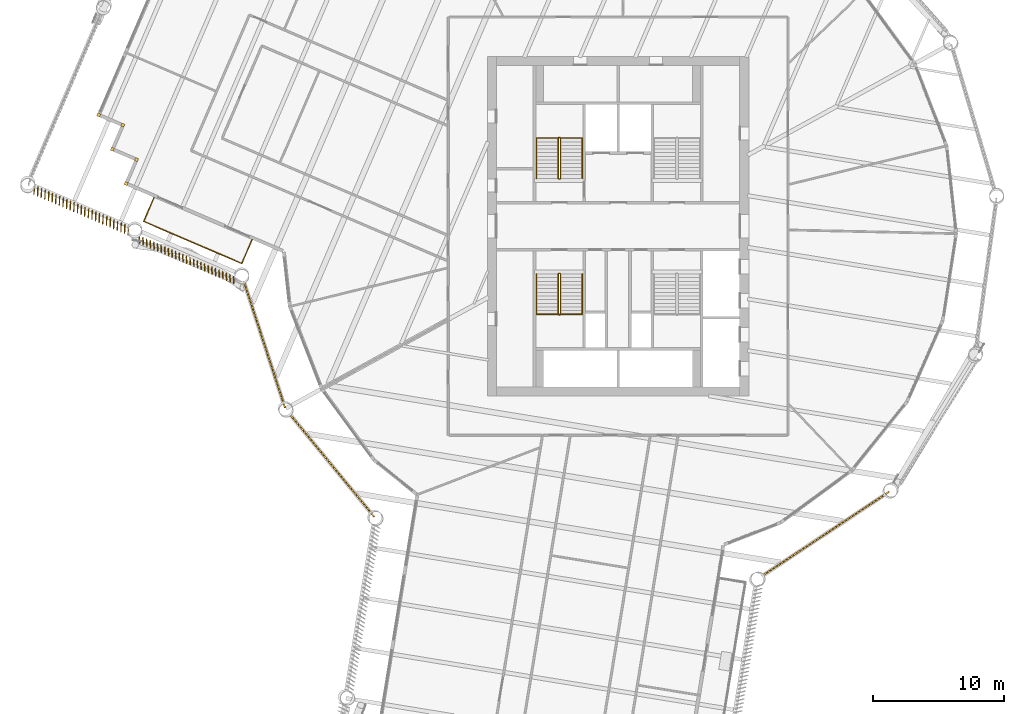
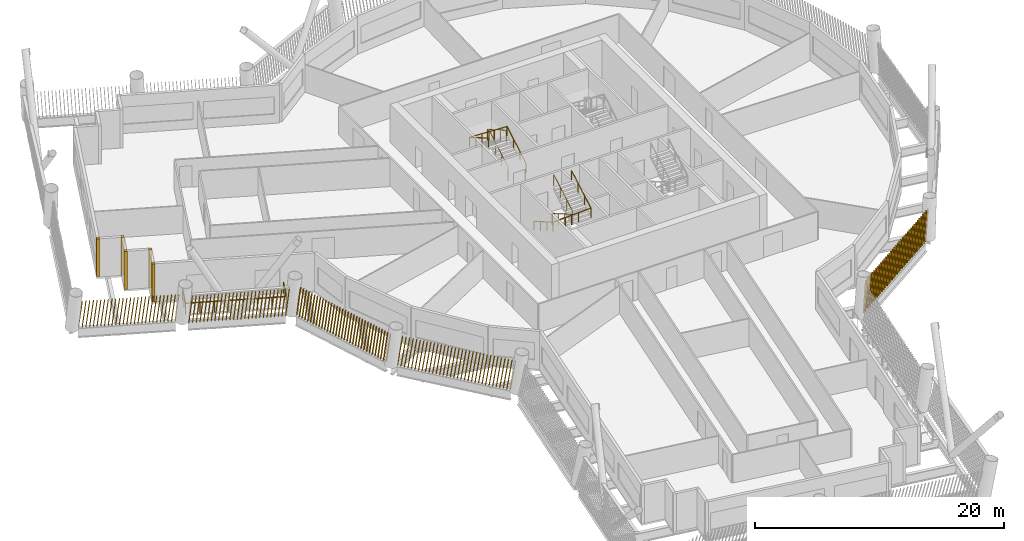
# One storey, part 19 of 22: 10 shading devices, 5 railings.
"""IFC4 building model written with IfcOpenShell, lengths in metres."""

from ifc_helpers import new_model, si_unit, direction, frame, frame_2d, origin, origin_2d, place, context, subcontext, project, spatial, rectangle, circle, composite_profile, extrude, material, type_object, element, save


model = new_model("IFC4")

# Units and contexts
model_context = context("Model", 3, precision=1e-05, world=origin(), true_north=direction((0.0, 1.0)))
body_context = subcontext(model_context, "Body", "Model", "MODEL_VIEW")
ifc_project = project(units=[si_unit("LENGTHUNIT", "METRE"), si_unit("AREAUNIT", "SQUARE_METRE"), si_unit("VOLUMEUNIT", "CUBIC_METRE"), si_unit("PLANEANGLEUNIT", "RADIAN"), si_unit("MASSUNIT", "GRAM", prefix="KILO")], contexts=[model_context])

# Site, building, storey
site_placement = place(None, origin())
site = spatial("IfcSite", under=ifc_project, at=site_placement, CompositionType="ELEMENT")
building_placement = place(site_placement, origin())
building = spatial("IfcBuilding", under=site, at=building_placement, Name="Tarsis Ring Headquarters", CompositionType="ELEMENT")
storey_placement = place(building_placement, frame((0.0, 0.0, 186.60009765625)))
storey = spatial("IfcBuildingStorey", under=building, at=storey_placement, Name="L43", CompositionType="ELEMENT", Elevation=186.60009765625)

# Railings
ifc_material_1 = material(Name="Stainless steel guard", Category="steel")
railing_type_1 = type_object("IfcRailingType", Name="Balcony balustrade with mesh infill 1100", PredefinedType="BALUSTRADE", material=ifc_material_1)
railing_1_placement = place(storey_placement, frame((-35.51611328125, 2.20458984375, 0.0)))
element("IfcRailing", 1, at=railing_1_placement, inside=storey, type_object=railing_type_1, Name="Balcony balustrade L43-01", PredefinedType="BALUSTRADE", context=body_context, shape_type="SweptSolid", body=[
    extrude(circle(Radius=0.030029296875, at=origin_2d()), frame((0.0, 0.0, 1.070068359375), z_axis=(-0.39490617901, -0.918721453858, 0.0), x_axis=(0.918721453858, -0.39490617901, 0.0)), (0.0, 0.0, 1.0), 2.0),
    extrude(circle(Radius=0.030029296875, at=origin_2d()), frame((-0.789794921875, -1.83740234375, 1.070068359375), z_axis=(0.918727289502, -0.394892602518, 0.0), x_axis=(0.394892602518, 0.918727289502, 0.0)), (0.0, 0.0, 1.0), 8.171875),
    extrude(circle(Radius=0.030029296875, at=origin_2d()), frame((6.718017578125, -5.064453125, 1.070068359375), z_axis=(0.39490617901, 0.918721453858, 0.0), x_axis=(-0.918721453858, 0.39490617901, 0.0)), (0.0, 0.0, 1.0), 2.0),
    extrude(circle(Radius=0.02490234375, at=origin_2d()), origin(), (0.0, 0.0, 1.0), 1.0400390625),
    extrude(circle(Radius=0.02490234375, at=origin_2d()), frame((-0.39501953125, -0.918701171875, 0.0)), (0.0, 0.0, 1.0), 1.0400390625),
    extrude(circle(Radius=0.02490234375, at=origin_2d()), frame((-0.789794921875, -1.83740234375, 0.0)), (0.0, 0.0, 1.0), 1.0400390625),
    extrude(circle(Radius=0.02490234375, at=origin_2d()), frame((0.28271484375, -2.29833984375, 0.0)), (0.0, 0.0, 1.0), 1.0400390625),
    extrude(circle(Radius=0.02490234375, at=origin_2d()), frame((1.355224609375, -2.759521484375, 0.0)), (0.0, 0.0, 1.0), 1.0400390625),
    extrude(circle(Radius=0.02490234375, at=origin_2d()), frame((2.427734375, -3.220458984375, 0.0)), (0.0, 0.0, 1.0), 1.0400390625),
    extrude(circle(Radius=0.02490234375, at=origin_2d()), frame((3.50048828125, -3.681396484375, 0.0)), (0.0, 0.0, 1.0), 1.0400390625),
    extrude(circle(Radius=0.02490234375, at=origin_2d()), frame((4.572998046875, -4.142333984375, 0.0)), (0.0, 0.0, 1.0), 1.0400390625),
    extrude(circle(Radius=0.02490234375, at=origin_2d()), frame((5.6455078125, -4.603515625, 0.0)), (0.0, 0.0, 1.0), 1.0400390625),
    extrude(circle(Radius=0.02490234375, at=origin_2d()), frame((6.718017578125, -5.064453125, 0.0)), (0.0, 0.0, 1.0), 1.0400390625),
    extrude(circle(Radius=0.02490234375, at=origin_2d()), frame((7.11279296875, -4.145751953125, 0.0)), (0.0, 0.0, 1.0), 1.0400390625),
    extrude(circle(Radius=0.02490234375, at=origin_2d()), frame((7.5078125, -3.22705078125, 0.0)), (0.0, 0.0, 1.0), 1.0400390625),
])
ifc_material_2 = material(Name="Steel S355", Category="steel")
railing_type_2 = type_object("IfcRailingType", Name="Core stair guard 1100", PredefinedType="GUARDRAIL", material=ifc_material_2)
railing_2_placement = place(storey_placement, frame((-4.5400390625, 3.610107421875, 0.0)))
element("IfcRailing", 2, at=railing_2_placement, inside=storey, type_object=railing_type_2, Name="L43 ST1 stair guard 1", PredefinedType="GUARDRAIL", context=body_context, shape_type="SweptSolid", body=[
    extrude(circle(Radius=0.02392578125, at=origin_2d()), frame((0.0, 0.0, 1.076171875), z_axis=(1.0, 0.0, 0.0), x_axis=(0.0, 1.0, 0.0)), (0.0, 0.0, 1.0), 0.080078125),
    extrude(circle(Radius=0.02392578125, at=origin_2d()), frame((0.080078125, 0.0, 1.076171875), z_axis=(0.282693820306, 0.281314826061, 0.917031173188), x_axis=(-0.705375805398, 0.708833529934, 0.0)), (0.0, 0.0, 1.0), 0.177001953125),
    extrude(circle(Radius=0.02392578125, at=origin_2d()), frame((0.130126953125, 0.0498046875, 1.23828125), z_axis=(0.0, 0.864890721111, 0.501960198159), x_axis=(-1.0, 0.0, 0.0)), (0.0, 0.0, 1.0), 3.561279296875),
    extrude(circle(Radius=0.02392578125, at=origin_2d()), frame((0.130126953125, 3.1298828125, 3.02587890625), z_axis=(-0.707106781187, 0.707106781187, 0.0), x_axis=(-0.707106781187, -0.707106781187, 0.0)), (0.0, 0.0, 1.0), 0.07080078125),
    extrude(circle(Radius=0.02392578125, at=origin_2d()), frame((0.080078125, 3.179931640625, 3.02587890625), z_axis=(-1.0, 0.0, 0.0), x_axis=(0.0, -1.0, 0.0)), (0.0, 0.0, 1.0), 0.080078125),
    extrude(circle(Radius=0.02392578125, at=origin_2d()), frame((0.0, 3.179931640625, 3.02587890625), z_axis=(-0.282583949758, -0.282583949758, 0.916674763849), x_axis=(0.707106781187, -0.707106781187, 0.0)), (0.0, 0.0, 1.0), 0.177001953125),
    extrude(circle(Radius=0.02392578125, at=origin_2d()), frame((-0.050048828125, 3.1298828125, 3.1884765625), z_axis=(0.0, -0.864890721111, 0.501960198159), x_axis=(1.0, 0.0, 0.0)), (0.0, 0.0, 1.0), 3.561279296875),
    extrude(circle(Radius=0.02099609375, at=origin_2d()), origin(), (0.0, 0.0, 1.0), 1.052001953125),
    extrude(circle(Radius=0.02099609375, at=origin_2d()), frame((0.080078125, 0.0, 0.0)), (0.0, 0.0, 1.0), 1.052001953125),
    extrude(circle(Radius=0.02099609375, at=origin_2d()), frame((0.130126953125, 0.0498046875, 0.162353515625)), (0.0, 0.0, 1.0), 1.052001953125),
    extrude(circle(Radius=0.02099609375, at=origin_2d()), frame((0.130126953125, 1.076416015625, 0.75830078125)), (0.0, 0.0, 1.0), 1.052001953125),
    extrude(circle(Radius=0.02099609375, at=origin_2d()), frame((0.130126953125, 2.103271484375, 1.35400390625)), (0.0, 0.0, 1.0), 1.052001953125),
    extrude(circle(Radius=0.02099609375, at=origin_2d()), frame((0.130126953125, 3.1298828125, 1.949951171875)), (0.0, 0.0, 1.0), 1.052001953125),
    extrude(circle(Radius=0.02099609375, at=origin_2d()), frame((0.080078125, 3.179931640625, 1.949951171875)), (0.0, 0.0, 1.0), 1.052001953125),
    extrude(circle(Radius=0.02099609375, at=origin_2d()), frame((0.0, 3.179931640625, 1.949951171875)), (0.0, 0.0, 1.0), 1.052001953125),
    extrude(circle(Radius=0.02099609375, at=origin_2d()), frame((-0.050048828125, 3.1298828125, 2.1123046875)), (0.0, 0.0, 1.0), 1.052001953125),
    extrude(circle(Radius=0.02099609375, at=origin_2d()), frame((-0.050048828125, 2.103271484375, 2.708251953125)), (0.0, 0.0, 1.0), 1.052001953125),
    extrude(circle(Radius=0.02099609375, at=origin_2d()), frame((-0.050048828125, 1.076416015625, 3.303955078125)), (0.0, 0.0, 1.0), 1.052001953125),
    extrude(circle(Radius=0.02099609375, at=origin_2d()), frame((-0.050048828125, 0.0498046875, 3.89990234375)), (0.0, 0.0, 1.0), 1.052001953125),
])
railing_3_placement = place(storey_placement, frame((-4.4599609375, -3.610107421875, 0.0)))
element("IfcRailing", 3, at=railing_3_placement, inside=storey, type_object=railing_type_2, Name="L43 ST3 stair guard 1", PredefinedType="GUARDRAIL", context=body_context, shape_type="SweptSolid", body=[
    extrude(circle(Radius=0.02392578125, at=origin_2d()), frame((0.0, 0.0, 1.076171875), z_axis=(-1.0, 0.0, 0.0), x_axis=(0.0, -1.0, 0.0)), (0.0, 0.0, 1.0), 0.080078125),
    extrude(circle(Radius=0.02392578125, at=origin_2d()), frame((-0.080078125, 0.0, 1.076171875), z_axis=(-0.282693820306, -0.281314826061, 0.917031173188), x_axis=(0.705375805398, -0.708833529934, 0.0)), (0.0, 0.0, 1.0), 0.177001953125),
    extrude(circle(Radius=0.02392578125, at=origin_2d()), frame((-0.130126953125, -0.0498046875, 1.23828125), z_axis=(0.0, -0.864890721111, 0.501960198159), x_axis=(1.0, 0.0, 0.0)), (0.0, 0.0, 1.0), 3.561279296875),
    extrude(circle(Radius=0.02392578125, at=origin_2d()), frame((-0.130126953125, -3.1298828125, 3.02587890625), z_axis=(0.707106781187, -0.707106781187, 0.0), x_axis=(0.707106781187, 0.707106781187, 0.0)), (0.0, 0.0, 1.0), 0.07080078125),
    extrude(circle(Radius=0.02392578125, at=origin_2d()), frame((-0.080078125, -3.179931640625, 3.02587890625), z_axis=(1.0, 0.0, 0.0), x_axis=(0.0, 1.0, 0.0)), (0.0, 0.0, 1.0), 0.080078125),
    extrude(circle(Radius=0.02392578125, at=origin_2d()), frame((0.0, -3.179931640625, 3.02587890625), z_axis=(0.282583949758, 0.282583949758, 0.916674763849), x_axis=(-0.707106781187, 0.707106781187, 0.0)), (0.0, 0.0, 1.0), 0.177001953125),
    extrude(circle(Radius=0.02392578125, at=origin_2d()), frame((0.050048828125, -3.1298828125, 3.1884765625), z_axis=(0.0, 0.864890721111, 0.501960198159), x_axis=(-1.0, 0.0, 0.0)), (0.0, 0.0, 1.0), 3.561279296875),
    extrude(circle(Radius=0.02099609375, at=origin_2d()), origin(), (0.0, 0.0, 1.0), 1.052001953125),
    extrude(circle(Radius=0.02099609375, at=origin_2d()), frame((-0.080078125, 0.0, 0.0)), (0.0, 0.0, 1.0), 1.052001953125),
    extrude(circle(Radius=0.02099609375, at=origin_2d()), frame((-0.130126953125, -0.0498046875, 0.162353515625)), (0.0, 0.0, 1.0), 1.052001953125),
    extrude(circle(Radius=0.02099609375, at=origin_2d()), frame((-0.130126953125, -1.076416015625, 0.75830078125)), (0.0, 0.0, 1.0), 1.052001953125),
    extrude(circle(Radius=0.02099609375, at=origin_2d()), frame((-0.130126953125, -2.103271484375, 1.35400390625)), (0.0, 0.0, 1.0), 1.052001953125),
    extrude(circle(Radius=0.02099609375, at=origin_2d()), frame((-0.130126953125, -3.1298828125, 1.949951171875)), (0.0, 0.0, 1.0), 1.052001953125),
    extrude(circle(Radius=0.02099609375, at=origin_2d()), frame((-0.080078125, -3.179931640625, 1.949951171875)), (0.0, 0.0, 1.0), 1.052001953125),
    extrude(circle(Radius=0.02099609375, at=origin_2d()), frame((0.0, -3.179931640625, 1.949951171875)), (0.0, 0.0, 1.0), 1.052001953125),
    extrude(circle(Radius=0.02099609375, at=origin_2d()), frame((0.050048828125, -3.1298828125, 2.1123046875)), (0.0, 0.0, 1.0), 1.052001953125),
    extrude(circle(Radius=0.02099609375, at=origin_2d()), frame((0.050048828125, -2.103271484375, 2.708251953125)), (0.0, 0.0, 1.0), 1.052001953125),
    extrude(circle(Radius=0.02099609375, at=origin_2d()), frame((0.050048828125, -1.076416015625, 3.303955078125)), (0.0, 0.0, 1.0), 1.052001953125),
    extrude(circle(Radius=0.02099609375, at=origin_2d()), frame((0.050048828125, -0.0498046875, 3.89990234375)), (0.0, 0.0, 1.0), 1.052001953125),
])
railing_type_3 = type_object("IfcRailingType", Name="Core stair handrail 900", PredefinedType="HANDRAIL", material=ifc_material_2)
railing_4_placement = place(storey_placement, frame((-2.75, 3.659912109375, 0.162353515625)))
element("IfcRailing", 4, at=railing_4_placement, inside=storey, type_object=railing_type_3, Name="L43 ST1 stair handrail 1", PredefinedType="HANDRAIL", context=body_context, shape_type="SweptSolid", body=[
    extrude(circle(Radius=0.02392578125, at=origin_2d()), frame((0.0, 0.0, 0.8759765625), z_axis=(0.0, 0.864890721111, 0.501960198159), x_axis=(-1.0, 0.0, 0.0)), (0.0, 0.0, 1.0), 3.561279296875),
    extrude(circle(Radius=0.02392578125, at=origin_2d()), frame((0.0, 3.080078125, 2.66357421875), z_axis=(-0.998925869279, 0.0, 0.04633689335), x_axis=(0.0, -1.0, 0.0)), (0.0, 0.0, 1.0), 3.503662109375),
    extrude(circle(Radius=0.02392578125, at=origin_2d()), frame((-3.5, 3.080078125, 2.82568359375), z_axis=(0.0, -0.864890721111, 0.501960198159), x_axis=(1.0, 0.0, 0.0)), (0.0, 0.0, 1.0), 3.561279296875),
    extrude(circle(Radius=0.02099609375, at=origin_2d()), origin(), (0.0, 0.0, 1.0), 0.851806640625),
    extrude(circle(Radius=0.02099609375, at=origin_2d()), frame((0.0, 1.026611328125, 0.595947265625)), (0.0, 0.0, 1.0), 0.851806640625),
    extrude(circle(Radius=0.02099609375, at=origin_2d()), frame((0.0, 2.053466796875, 1.191650390625)), (0.0, 0.0, 1.0), 0.851806640625),
    extrude(circle(Radius=0.02099609375, at=origin_2d()), frame((0.0, 3.080078125, 1.78759765625)), (0.0, 0.0, 1.0), 0.851806640625),
    extrude(circle(Radius=0.02099609375, at=origin_2d()), frame((-1.166748046875, 3.080078125, 1.841796875)), (0.0, 0.0, 1.0), 0.851806640625),
    extrude(circle(Radius=0.02099609375, at=origin_2d()), frame((-2.333251953125, 3.080078125, 1.895751953125)), (0.0, 0.0, 1.0), 0.851806640625),
    extrude(circle(Radius=0.02099609375, at=origin_2d()), frame((-3.5, 3.080078125, 1.949951171875)), (0.0, 0.0, 1.0), 0.851806640625),
    extrude(circle(Radius=0.02099609375, at=origin_2d()), frame((-3.5, 2.053466796875, 2.5458984375)), (0.0, 0.0, 1.0), 0.851806640625),
    extrude(circle(Radius=0.02099609375, at=origin_2d()), frame((-3.5, 1.026611328125, 3.1416015625)), (0.0, 0.0, 1.0), 0.851806640625),
    extrude(circle(Radius=0.02099609375, at=origin_2d()), frame((-3.5, 0.0, 3.737548828125)), (0.0, 0.0, 1.0), 0.851806640625),
])
railing_5_placement = place(storey_placement, frame((-6.25, -3.659912109375, 0.162353515625)))
element("IfcRailing", 5, at=railing_5_placement, inside=storey, type_object=railing_type_3, Name="L43 ST3 stair handrail 1", PredefinedType="HANDRAIL", context=body_context, shape_type="SweptSolid", body=[
    extrude(circle(Radius=0.02392578125, at=origin_2d()), frame((0.0, 0.0, 0.8759765625), z_axis=(0.0, -0.864890721111, 0.501960198159), x_axis=(1.0, 0.0, 0.0)), (0.0, 0.0, 1.0), 3.561279296875),
    extrude(circle(Radius=0.02392578125, at=origin_2d()), frame((0.0, -3.080078125, 2.66357421875), z_axis=(0.998925869279, 0.0, 0.04633689335), x_axis=(0.0, 1.0, 0.0)), (0.0, 0.0, 1.0), 3.503662109375),
    extrude(circle(Radius=0.02392578125, at=origin_2d()), frame((3.5, -3.080078125, 2.82568359375), z_axis=(0.0, 0.864890721111, 0.501960198159), x_axis=(-1.0, 0.0, 0.0)), (0.0, 0.0, 1.0), 3.561279296875),
    extrude(circle(Radius=0.02099609375, at=origin_2d()), origin(), (0.0, 0.0, 1.0), 0.851806640625),
    extrude(circle(Radius=0.02099609375, at=origin_2d()), frame((0.0, -1.026611328125, 0.595947265625)), (0.0, 0.0, 1.0), 0.851806640625),
    extrude(circle(Radius=0.02099609375, at=origin_2d()), frame((0.0, -2.053466796875, 1.191650390625)), (0.0, 0.0, 1.0), 0.851806640625),
    extrude(circle(Radius=0.02099609375, at=origin_2d()), frame((0.0, -3.080078125, 1.78759765625)), (0.0, 0.0, 1.0), 0.851806640625),
    extrude(circle(Radius=0.02099609375, at=origin_2d()), frame((1.166748046875, -3.080078125, 1.841796875)), (0.0, 0.0, 1.0), 0.851806640625),
    extrude(circle(Radius=0.02099609375, at=origin_2d()), frame((2.333251953125, -3.080078125, 1.895751953125)), (0.0, 0.0, 1.0), 0.851806640625),
    extrude(circle(Radius=0.02099609375, at=origin_2d()), frame((3.5, -3.080078125, 1.949951171875)), (0.0, 0.0, 1.0), 0.851806640625),
    extrude(circle(Radius=0.02099609375, at=origin_2d()), frame((3.5, -2.053466796875, 2.5458984375)), (0.0, 0.0, 1.0), 0.851806640625),
    extrude(circle(Radius=0.02099609375, at=origin_2d()), frame((3.5, -1.026611328125, 3.1416015625)), (0.0, 0.0, 1.0), 0.851806640625),
    extrude(circle(Radius=0.02099609375, at=origin_2d()), frame((3.5, 0.0, 3.737548828125)), (0.0, 0.0, 1.0), 0.851806640625),
])

# Shading devices
ifc_material_3 = material(Name="Terracotta baguette", Category="masonry")
shading_device_type_1 = type_object("IfcShadingDeviceType", Name="Terracotta baguette screen", PredefinedType="USERDEFINED", material=ifc_material_3)
shading_device_1_placement = place(storey_placement, frame((-25.152587890625, -14.353759765625, 0.0), z_axis=(0.0, 0.0, 1.0), x_axis=(0.635062209564, -0.772447908859, 0.0)))
element("IfcShadingDevice", 6, at=shading_device_1_placement, inside=storey, type_object=shading_device_type_1, Name="Baguette screen L43-00", ObjectType="Terracotta baguette screen", PredefinedType="USERDEFINED", context=body_context, shape_type="SweptSolid", body=[
    extrude(composite_profile([rectangle(XDim=0.06005859375, YDim=0.1201171875, at=frame_2d((0.030029296875, 0.0))), rectangle(XDim=0.06005859375, YDim=0.1201171875, at=frame_2d((0.33349609375, 0.0))), rectangle(XDim=0.06005859375, YDim=0.1201171875, at=frame_2d((0.636962890625, 0.0))), rectangle(XDim=0.06005859375, YDim=0.1201171875, at=frame_2d((0.9404296875, 0.0))), rectangle(XDim=0.06005859375, YDim=0.1201171875, at=frame_2d((1.243896484375, 0.0))), rectangle(XDim=0.06005859375, YDim=0.1201171875, at=frame_2d((1.54736328125, 0.0))), rectangle(XDim=0.06005859375, YDim=0.1201171875, at=frame_2d((1.85107421875, 0.0))), rectangle(XDim=0.06005859375, YDim=0.1201171875, at=frame_2d((2.154541015625, 0.0))), rectangle(XDim=0.06005859375, YDim=0.1201171875, at=frame_2d((2.4580078125, 0.0))), rectangle(XDim=0.06005859375, YDim=0.1201171875, at=frame_2d((2.761474609375, 0.0))), rectangle(XDim=0.06005859375, YDim=0.1201171875, at=frame_2d((3.06494140625, 0.0))), rectangle(XDim=0.06005859375, YDim=0.1201171875, at=frame_2d((3.368408203125, 0.0))), rectangle(XDim=0.06005859375, YDim=0.1201171875, at=frame_2d((3.671875, 0.0))), rectangle(XDim=0.06005859375, YDim=0.1201171875, at=frame_2d((3.975341796875, 0.0))), rectangle(XDim=0.06005859375, YDim=0.1201171875, at=frame_2d((4.27880859375, 0.0))), rectangle(XDim=0.06005859375, YDim=0.1201171875, at=frame_2d((4.582275390625, 0.0))), rectangle(XDim=0.06005859375, YDim=0.1201171875, at=frame_2d((4.8857421875, 0.0))), rectangle(XDim=0.06005859375, YDim=0.1201171875, at=frame_2d((5.189453125, 0.0))), rectangle(XDim=0.06005859375, YDim=0.1201171875, at=frame_2d((5.492919921875, 0.0))), rectangle(XDim=0.06005859375, YDim=0.1201171875, at=frame_2d((5.79638671875, 0.0))), rectangle(XDim=0.06005859375, YDim=0.1201171875, at=frame_2d((6.099853515625, 0.0))), rectangle(XDim=0.06005859375, YDim=0.1201171875, at=frame_2d((6.4033203125, 0.0))), rectangle(XDim=0.06005859375, YDim=0.1201171875, at=frame_2d((6.706787109375, 0.0))), rectangle(XDim=0.06005859375, YDim=0.1201171875, at=frame_2d((7.01025390625, 0.0))), rectangle(XDim=0.06005859375, YDim=0.1201171875, at=frame_2d((7.313720703125, 0.0))), rectangle(XDim=0.06005859375, YDim=0.1201171875, at=frame_2d((7.6171875, 0.0))), rectangle(XDim=0.06005859375, YDim=0.1201171875, at=frame_2d((7.920654296875, 0.0))), rectangle(XDim=0.06005859375, YDim=0.1201171875, at=frame_2d((8.224365234375, 0.0))), rectangle(XDim=0.06005859375, YDim=0.1201171875, at=frame_2d((8.52783203125, 0.0))), rectangle(XDim=0.06005859375, YDim=0.1201171875, at=frame_2d((8.831298828125, 0.0))), rectangle(XDim=0.06005859375, YDim=0.1201171875, at=frame_2d((9.134765625, 0.0))), rectangle(XDim=0.06005859375, YDim=0.1201171875, at=frame_2d((9.438232421875, 0.0))), rectangle(XDim=0.06005859375, YDim=0.1201171875, at=frame_2d((9.74169921875, 0.0)))]), origin(), (0.150262780545, 0.001179881238, 0.988645388733), 2.98388671875),
])
shading_device_2_placement = place(storey_placement, frame((11.001708984375, -26.775146484375, 0.0), z_axis=(0.0, 0.0, 1.0), x_axis=(0.833488876831, 0.552555615844, 0.0)))
element("IfcShadingDevice", 7, at=shading_device_2_placement, inside=storey, type_object=shading_device_type_1, Name="Baguette screen L43-07", ObjectType="Terracotta baguette screen", PredefinedType="USERDEFINED", context=body_context, shape_type="SweptSolid", body=[
    extrude(composite_profile([rectangle(XDim=0.06005859375, YDim=0.1201171875, at=frame_2d((0.030029296875, 0.0))), rectangle(XDim=0.06005859375, YDim=0.1201171875, at=frame_2d((0.33251953125, 0.0))), rectangle(XDim=0.06005859375, YDim=0.1201171875, at=frame_2d((0.634765625, 0.0))), rectangle(XDim=0.06005859375, YDim=0.1201171875, at=frame_2d((0.937255859375, 0.0))), rectangle(XDim=0.06005859375, YDim=0.1201171875, at=frame_2d((1.239501953125, 0.0))), rectangle(XDim=0.06005859375, YDim=0.1201171875, at=frame_2d((1.5419921875, 0.0))), rectangle(XDim=0.06005859375, YDim=0.1201171875, at=frame_2d((1.844482421875, 0.0))), rectangle(XDim=0.06005859375, YDim=0.1201171875, at=frame_2d((2.146728515625, 0.0))), rectangle(XDim=0.06005859375, YDim=0.1201171875, at=frame_2d((2.44921875, 0.0))), rectangle(XDim=0.06005859375, YDim=0.1201171875, at=frame_2d((2.751708984375, 0.0))), rectangle(XDim=0.06005859375, YDim=0.1201171875, at=frame_2d((3.053955078125, 0.0))), rectangle(XDim=0.06005859375, YDim=0.1201171875, at=frame_2d((3.3564453125, 0.0))), rectangle(XDim=0.06005859375, YDim=0.1201171875, at=frame_2d((3.65869140625, 0.0))), rectangle(XDim=0.06005859375, YDim=0.1201171875, at=frame_2d((3.961181640625, 0.0))), rectangle(XDim=0.06005859375, YDim=0.1201171875, at=frame_2d((4.263671875, 0.0))), rectangle(XDim=0.06005859375, YDim=0.1201171875, at=frame_2d((4.56591796875, 0.0))), rectangle(XDim=0.06005859375, YDim=0.1201171875, at=frame_2d((4.868408203125, 0.0))), rectangle(XDim=0.06005859375, YDim=0.1201171875, at=frame_2d((5.1708984375, 0.0))), rectangle(XDim=0.06005859375, YDim=0.1201171875, at=frame_2d((5.47314453125, 0.0))), rectangle(XDim=0.06005859375, YDim=0.1201171875, at=frame_2d((5.775634765625, 0.0))), rectangle(XDim=0.06005859375, YDim=0.1201171875, at=frame_2d((6.077880859375, 0.0))), rectangle(XDim=0.06005859375, YDim=0.1201171875, at=frame_2d((6.38037109375, 0.0))), rectangle(XDim=0.06005859375, YDim=0.1201171875, at=frame_2d((6.682861328125, 0.0))), rectangle(XDim=0.06005859375, YDim=0.1201171875, at=frame_2d((6.985107421875, 0.0))), rectangle(XDim=0.06005859375, YDim=0.1201171875, at=frame_2d((7.28759765625, 0.0))), rectangle(XDim=0.06005859375, YDim=0.1201171875, at=frame_2d((7.590087890625, 0.0))), rectangle(XDim=0.06005859375, YDim=0.1201171875, at=frame_2d((7.892333984375, 0.0))), rectangle(XDim=0.06005859375, YDim=0.1201171875, at=frame_2d((8.19482421875, 0.0))), rectangle(XDim=0.06005859375, YDim=0.1201171875, at=frame_2d((8.4970703125, 0.0))), rectangle(XDim=0.06005859375, YDim=0.1201171875, at=frame_2d((8.799560546875, 0.0))), rectangle(XDim=0.06005859375, YDim=0.1201171875, at=frame_2d((9.10205078125, 0.0))), rectangle(XDim=0.06005859375, YDim=0.1201171875, at=frame_2d((9.404296875, 0.0))), rectangle(XDim=0.06005859375, YDim=0.1201171875, at=frame_2d((9.706787109375, 0.0))), rectangle(XDim=0.06005859375, YDim=0.1201171875, at=frame_2d((10.00927734375, 0.0))), rectangle(XDim=0.06005859375, YDim=0.1201171875, at=frame_2d((10.3115234375, 0.0))), rectangle(XDim=0.06005859375, YDim=0.1201171875, at=frame_2d((10.614013671875, 0.0))), rectangle(XDim=0.06005859375, YDim=0.1201171875, at=frame_2d((10.916259765625, 0.0))), rectangle(XDim=0.06005859375, YDim=0.1201171875, at=frame_2d((11.21875, 0.0)))]), origin(), (0.149497340951, 0.001171874223, 0.988761433188), 2.9833984375),
])
shading_device_3_placement = place(storey_placement, frame((-44.70654296875, 3.107421875, 0.0), z_axis=(0.0, 0.0, 1.0), x_axis=(0.918716015818, -0.394896193772, 0.0)))
element("IfcShadingDevice", 8, at=shading_device_3_placement, inside=storey, type_object=shading_device_type_1, Name="Baguette screen L43-19", ObjectType="Terracotta baguette screen", PredefinedType="USERDEFINED", context=body_context, shape_type="SweptSolid", body=[
    extrude(composite_profile([rectangle(XDim=0.06005859375, YDim=0.1201171875, at=frame_2d((0.030029296875, 0.0))), rectangle(XDim=0.06005859375, YDim=0.1201171875, at=frame_2d((0.33154296875, 0.0))), rectangle(XDim=0.06005859375, YDim=0.1201171875, at=frame_2d((0.63330078125, 0.0))), rectangle(XDim=0.06005859375, YDim=0.1201171875, at=frame_2d((0.934814453125, 0.0))), rectangle(XDim=0.06005859375, YDim=0.1201171875, at=frame_2d((1.236572265625, 0.0))), rectangle(XDim=0.06005859375, YDim=0.1201171875, at=frame_2d((1.5380859375, 0.0))), rectangle(XDim=0.06005859375, YDim=0.1201171875, at=frame_2d((1.83984375, 0.0))), rectangle(XDim=0.06005859375, YDim=0.1201171875, at=frame_2d((2.141357421875, 0.0))), rectangle(XDim=0.06005859375, YDim=0.1201171875, at=frame_2d((2.443115234375, 0.0))), rectangle(XDim=0.06005859375, YDim=0.1201171875, at=frame_2d((2.74462890625, 0.0))), rectangle(XDim=0.06005859375, YDim=0.1201171875, at=frame_2d((3.04638671875, 0.0))), rectangle(XDim=0.06005859375, YDim=0.1201171875, at=frame_2d((3.347900390625, 0.0))), rectangle(XDim=0.06005859375, YDim=0.1201171875, at=frame_2d((3.649658203125, 0.0))), rectangle(XDim=0.06005859375, YDim=0.1201171875, at=frame_2d((3.951171875, 0.0))), rectangle(XDim=0.06005859375, YDim=0.1201171875, at=frame_2d((4.252685546875, 0.0))), rectangle(XDim=0.06005859375, YDim=0.1201171875, at=frame_2d((4.554443359375, 0.0))), rectangle(XDim=0.06005859375, YDim=0.1201171875, at=frame_2d((4.85595703125, 0.0))), rectangle(XDim=0.06005859375, YDim=0.1201171875, at=frame_2d((5.15771484375, 0.0))), rectangle(XDim=0.06005859375, YDim=0.1201171875, at=frame_2d((5.459228515625, 0.0))), rectangle(XDim=0.06005859375, YDim=0.1201171875, at=frame_2d((5.760986328125, 0.0))), rectangle(XDim=0.06005859375, YDim=0.1201171875, at=frame_2d((6.0625, 0.0))), rectangle(XDim=0.06005859375, YDim=0.1201171875, at=frame_2d((6.3642578125, 0.0))), rectangle(XDim=0.06005859375, YDim=0.1201171875, at=frame_2d((6.665771484375, 0.0))), rectangle(XDim=0.06005859375, YDim=0.1201171875, at=frame_2d((6.967529296875, 0.0))), rectangle(XDim=0.06005859375, YDim=0.1201171875, at=frame_2d((7.26904296875, 0.0))), rectangle(XDim=0.06005859375, YDim=0.1201171875, at=frame_2d((7.57080078125, 0.0))), rectangle(XDim=0.06005859375, YDim=0.1201171875, at=frame_2d((7.872314453125, 0.0)))]), origin(), (0.078546488702, -0.198864408503, 0.976874299049), 3.019775390625),
])
shading_device_4_placement = place(storey_placement, frame((-36.676025390625, -0.752685546875, 0.0), z_axis=(0.0, 0.0, 1.0), x_axis=(0.918716015818, -0.394896193772, 0.0)))
element("IfcShadingDevice", 9, at=shading_device_4_placement, inside=storey, type_object=shading_device_type_1, Name="Baguette screen L43-20", ObjectType="Terracotta baguette screen", PredefinedType="USERDEFINED", context=body_context, shape_type="SweptSolid", body=[
    extrude(composite_profile([rectangle(XDim=0.06005859375, YDim=0.1201171875, at=frame_2d((0.030029296875, 0.0))), rectangle(XDim=0.06005859375, YDim=0.1201171875, at=frame_2d((0.33154296875, 0.0))), rectangle(XDim=0.06005859375, YDim=0.1201171875, at=frame_2d((0.63330078125, 0.0))), rectangle(XDim=0.06005859375, YDim=0.1201171875, at=frame_2d((0.934814453125, 0.0))), rectangle(XDim=0.06005859375, YDim=0.1201171875, at=frame_2d((1.236572265625, 0.0))), rectangle(XDim=0.06005859375, YDim=0.1201171875, at=frame_2d((1.5380859375, 0.0))), rectangle(XDim=0.06005859375, YDim=0.1201171875, at=frame_2d((1.83984375, 0.0))), rectangle(XDim=0.06005859375, YDim=0.1201171875, at=frame_2d((2.141357421875, 0.0))), rectangle(XDim=0.06005859375, YDim=0.1201171875, at=frame_2d((2.443115234375, 0.0))), rectangle(XDim=0.06005859375, YDim=0.1201171875, at=frame_2d((2.74462890625, 0.0))), rectangle(XDim=0.06005859375, YDim=0.1201171875, at=frame_2d((3.04638671875, 0.0))), rectangle(XDim=0.06005859375, YDim=0.1201171875, at=frame_2d((3.347900390625, 0.0))), rectangle(XDim=0.06005859375, YDim=0.1201171875, at=frame_2d((3.649658203125, 0.0))), rectangle(XDim=0.06005859375, YDim=0.1201171875, at=frame_2d((3.951171875, 0.0))), rectangle(XDim=0.06005859375, YDim=0.1201171875, at=frame_2d((4.252685546875, 0.0))), rectangle(XDim=0.06005859375, YDim=0.1201171875, at=frame_2d((4.554443359375, 0.0))), rectangle(XDim=0.06005859375, YDim=0.1201171875, at=frame_2d((4.85595703125, 0.0))), rectangle(XDim=0.06005859375, YDim=0.1201171875, at=frame_2d((5.15771484375, 0.0))), rectangle(XDim=0.06005859375, YDim=0.1201171875, at=frame_2d((5.459228515625, 0.0))), rectangle(XDim=0.06005859375, YDim=0.1201171875, at=frame_2d((5.760986328125, 0.0))), rectangle(XDim=0.06005859375, YDim=0.1201171875, at=frame_2d((6.0625, 0.0))), rectangle(XDim=0.06005859375, YDim=0.1201171875, at=frame_2d((6.3642578125, 0.0))), rectangle(XDim=0.06005859375, YDim=0.1201171875, at=frame_2d((6.665771484375, 0.0))), rectangle(XDim=0.06005859375, YDim=0.1201171875, at=frame_2d((6.967529296875, 0.0))), rectangle(XDim=0.06005859375, YDim=0.1201171875, at=frame_2d((7.26904296875, 0.0))), rectangle(XDim=0.06005859375, YDim=0.1201171875, at=frame_2d((7.57080078125, 0.0))), rectangle(XDim=0.06005859375, YDim=0.1201171875, at=frame_2d((7.872314453125, 0.0)))]), origin(), (0.08078371066, -0.153781995994, 0.984796978976), 2.99560546875),
])
shading_device_5_placement = place(storey_placement, frame((-28.653564453125, -4.20166015625, 0.0), z_axis=(0.0, 0.0, 1.0), x_axis=(0.309931292942, -0.950755777639, 0.0)))
element("IfcShadingDevice", 10, at=shading_device_5_placement, inside=storey, type_object=shading_device_type_1, Name="Baguette screen L43-21", ObjectType="Terracotta baguette screen", PredefinedType="USERDEFINED", context=body_context, shape_type="SweptSolid", body=[
    extrude(composite_profile([rectangle(XDim=0.06005859375, YDim=0.1201171875, at=frame_2d((0.030029296875, 0.0))), rectangle(XDim=0.06005859375, YDim=0.1201171875, at=frame_2d((0.33349609375, 0.0))), rectangle(XDim=0.06005859375, YDim=0.1201171875, at=frame_2d((0.636962890625, 0.0))), rectangle(XDim=0.06005859375, YDim=0.1201171875, at=frame_2d((0.9404296875, 0.0))), rectangle(XDim=0.06005859375, YDim=0.1201171875, at=frame_2d((1.243896484375, 0.0))), rectangle(XDim=0.06005859375, YDim=0.1201171875, at=frame_2d((1.54736328125, 0.0))), rectangle(XDim=0.06005859375, YDim=0.1201171875, at=frame_2d((1.85107421875, 0.0))), rectangle(XDim=0.06005859375, YDim=0.1201171875, at=frame_2d((2.154541015625, 0.0))), rectangle(XDim=0.06005859375, YDim=0.1201171875, at=frame_2d((2.4580078125, 0.0))), rectangle(XDim=0.06005859375, YDim=0.1201171875, at=frame_2d((2.761474609375, 0.0))), rectangle(XDim=0.06005859375, YDim=0.1201171875, at=frame_2d((3.06494140625, 0.0))), rectangle(XDim=0.06005859375, YDim=0.1201171875, at=frame_2d((3.368408203125, 0.0))), rectangle(XDim=0.06005859375, YDim=0.1201171875, at=frame_2d((3.671875, 0.0))), rectangle(XDim=0.06005859375, YDim=0.1201171875, at=frame_2d((3.975341796875, 0.0))), rectangle(XDim=0.06005859375, YDim=0.1201171875, at=frame_2d((4.27880859375, 0.0))), rectangle(XDim=0.06005859375, YDim=0.1201171875, at=frame_2d((4.582275390625, 0.0))), rectangle(XDim=0.06005859375, YDim=0.1201171875, at=frame_2d((4.8857421875, 0.0))), rectangle(XDim=0.06005859375, YDim=0.1201171875, at=frame_2d((5.189453125, 0.0))), rectangle(XDim=0.06005859375, YDim=0.1201171875, at=frame_2d((5.492919921875, 0.0))), rectangle(XDim=0.06005859375, YDim=0.1201171875, at=frame_2d((5.79638671875, 0.0))), rectangle(XDim=0.06005859375, YDim=0.1201171875, at=frame_2d((6.099853515625, 0.0))), rectangle(XDim=0.06005859375, YDim=0.1201171875, at=frame_2d((6.4033203125, 0.0))), rectangle(XDim=0.06005859375, YDim=0.1201171875, at=frame_2d((6.706787109375, 0.0))), rectangle(XDim=0.06005859375, YDim=0.1201171875, at=frame_2d((7.01025390625, 0.0))), rectangle(XDim=0.06005859375, YDim=0.1201171875, at=frame_2d((7.313720703125, 0.0))), rectangle(XDim=0.06005859375, YDim=0.1201171875, at=frame_2d((7.6171875, 0.0))), rectangle(XDim=0.06005859375, YDim=0.1201171875, at=frame_2d((7.920654296875, 0.0))), rectangle(XDim=0.06005859375, YDim=0.1201171875, at=frame_2d((8.224365234375, 0.0))), rectangle(XDim=0.06005859375, YDim=0.1201171875, at=frame_2d((8.52783203125, 0.0))), rectangle(XDim=0.06005859375, YDim=0.1201171875, at=frame_2d((8.831298828125, 0.0))), rectangle(XDim=0.06005859375, YDim=0.1201171875, at=frame_2d((9.134765625, 0.0))), rectangle(XDim=0.06005859375, YDim=0.1201171875, at=frame_2d((9.438232421875, 0.0))), rectangle(XDim=0.06005859375, YDim=0.1201171875, at=frame_2d((9.74169921875, 0.0)))]), origin(), (0.15026381856, 0.001180069343, 0.988645230742), 2.98388671875),
])
shading_device_type_2 = type_object("IfcShadingDeviceType", Name="Terracotta corner baguette 250x250", PredefinedType="USERDEFINED", material=ifc_material_3)
for number, where, z_axis, x_axis, name in (
    (11, (-37.648681640625, 3.25732421875, 0.0), (0.0, 0.0, 1.0), (-0.39490414555, -0.918722327925, 0.0), "Corner baguette L43-01"),
    (12, (-39.743896484375, 8.511962890625, 0.0), (0.0, 0.0, 1.0), (-0.394904193654, -0.918722307248, 0.0), "Corner baguette L43-37"),
    (13, (-37.906494140625, 7.72216796875, 0.0), (0.0, 0.0, 1.0), (0.918722327925, -0.39490414555, 0.0), "Corner baguette L43-38"),
    (14, (-38.6962890625, 5.884521484375, 0.0), (0.0, 0.0, 1.0), (-0.394904386071, -0.918722224539, 0.0), "Corner baguette L43-39"),
    (15, (-36.85888671875, 5.0947265625, 0.0), (0.0, 0.0, 1.0), (0.918722224539, -0.394904386071, 0.0), "Corner baguette L43-40"),
):
    element("IfcShadingDevice", number, at=place(storey_placement, frame(where, z_axis=z_axis, x_axis=x_axis)), inside=storey, type_object=shading_device_type_2, Name=name, ObjectType="Terracotta corner baguette", PredefinedType="USERDEFINED", context=body_context, shape_type="SweptSolid", body=[
        extrude(rectangle(XDim=0.25, YDim=0.25, at=origin_2d()), origin(), (0.0, 0.0, 1.0), 3.739990234375),
    ])

save(model, "model.ifc")
